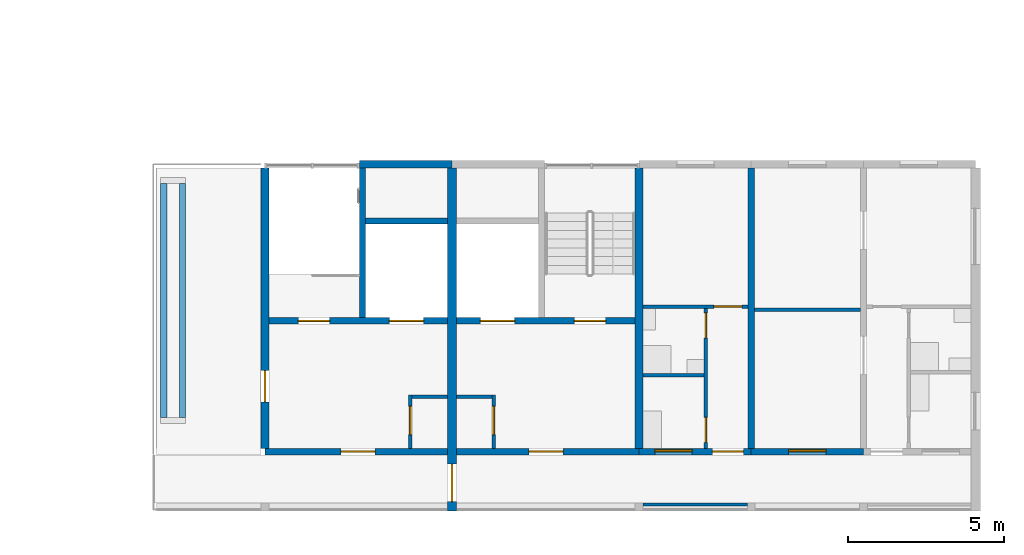
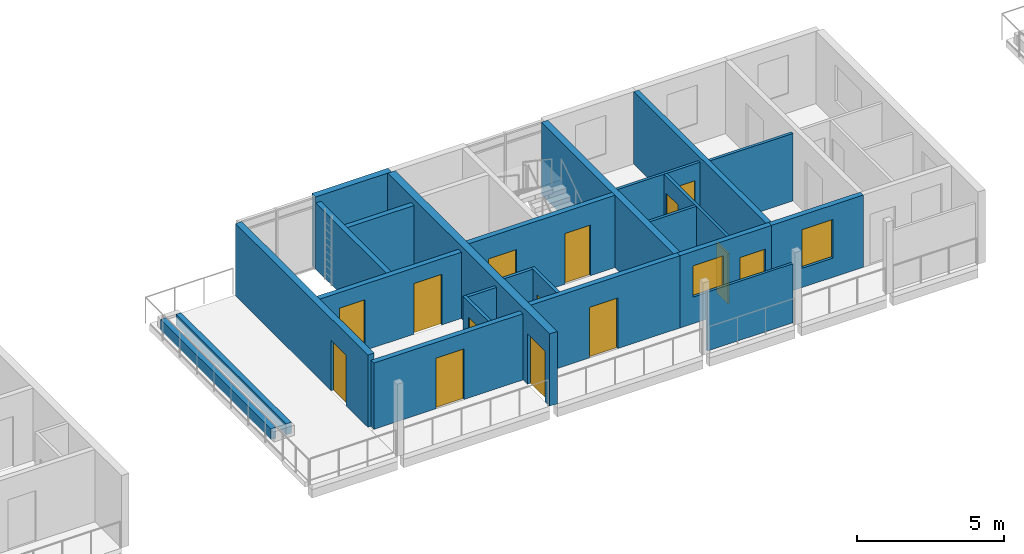
# One storey, part 27 of 55: 24 walls, 14 doors, 2 windows, 16 openings.
"""IFC4 building model written with IfcOpenShell, lengths in metres."""

from ifc_helpers import new_model, si_unit, direction, frame, frame_2d, origin, place, context, subcontext, project, spatial, rectangle, extrude, material, layer, layer_set, type_object, element, fill, save


model = new_model("IFC4")

# Units and contexts
model_context = context("Model", 3, precision=1e-05, world=origin(), true_north=direction((0.0, 1.0)))
body_context = subcontext(model_context, "Body", "Model", "MODEL_VIEW")
ifc_project = project(units=[si_unit("LENGTHUNIT", "METRE"), si_unit("AREAUNIT", "SQUARE_METRE"), si_unit("VOLUMEUNIT", "CUBIC_METRE"), si_unit("PLANEANGLEUNIT", "RADIAN"), si_unit("MASSUNIT", "GRAM", prefix="KILO")], contexts=[model_context])

# Site, building, storey
site_placement = place(None, origin())
site = spatial("IfcSite", under=ifc_project, at=site_placement, CompositionType="ELEMENT")
building_placement = place(site_placement, origin())
building = spatial("IfcBuilding", under=site, at=building_placement, Name="Ridgestep Commons", CompositionType="ELEMENT")
storey_placement = place(building_placement, frame((0.0, 0.0, 36.0)))
storey = spatial("IfcBuildingStorey", under=building, at=storey_placement, Name="L12", CompositionType="ELEMENT", Elevation=36.0)

# Wall
ifc_material_1 = material(Name="Concrete C30/37", Category="concrete")
ifc_layer_1 = layer(ifc_material_1, 0.25)
ifc_layer_set_1 = layer_set([ifc_layer_1], Name="Core cross wall 250")
wall_type_1 = type_object("IfcWallType", Name="Core cross wall 250", PredefinedType="SHEAR", material=ifc_layer_set_1)
wall_1_placement = place(storey_placement, frame((51.60009765625, 13.75, 0.0), z_axis=(0.0, 0.0, 1.0), x_axis=(0.0, 1.0, 0.0)))
element("IfcWall", 1, at=wall_1_placement, inside=storey, type_object=wall_type_1, Name="Cross wall A-12-0516", PredefinedType="SHEAR", context=body_context, shape_type="SweptSolid", body=[
    extrude(rectangle(XDim=9.0, YDim=0.25, at=frame_2d((4.5, 0.0))), origin(), (0.0, 0.0, 1.0), 3.0),
])

# Wall, opening, door
ifc_material_2 = material(Name="Concrete C30/37", Category="concrete")
ifc_layer_2 = layer(ifc_material_2, 0.199951171875)
ifc_layer_set_2 = layer_set([ifc_layer_2], Name="Core south wall 200")
wall_type_2 = type_object("IfcWallType", Name="Core south wall 200", PredefinedType="SHEAR", material=ifc_layer_set_2)
wall_2_placement = place(storey_placement, frame((39.60009765625, 13.64990234375, 0.0), z_axis=(0.0, 0.0, 1.0), x_axis=(1.0, 0.0, 0.0)))
wall_2 = element("IfcWall", 2, at=wall_2_placement, inside=storey, type_object=wall_type_2, Name="Core south wall A2C L12", PredefinedType="SHEAR", context=body_context, shape_type="SweptSolid", body=[
    extrude(rectangle(XDim=5.849853515625, YDim=0.199951171875, at=frame_2d((2.9248046875, 0.0))), origin(), (0.0, 0.0, 1.0), 2.75),
])
opening_1_placement = place(wall_2_placement, frame((2.4375, 0.0, 0.0)))
opening_1 = element("IfcOpeningElement", 3, at=opening_1_placement, cuts=wall_2, Name="Opening A2C/12/1", PredefinedType="OPENING", context=body_context, shape_type="SweptSolid", body=[
    extrude(rectangle(XDim=1.10009765625, YDim=2.10009765625, at=frame_2d((0.550048828125, 1.050048828125))), frame((0.0, 0.10986328125, 0.0), z_axis=(0.0, -1.0, 0.0), x_axis=(1.0, 0.0, 0.0)), (0.0, 0.0, 1.0), 0.219970703125),
])
ifc_material_3 = material(Name="Steel fire door", Category="steel")
door_type_1 = type_object("IfcDoorType", Name="Lobby door 1100 x 2100 FD60", OperationType="NOTDEFINED", PredefinedType="DOOR", material=ifc_material_3)
door_1_placement = place(opening_1_placement, origin())
door_1 = element("IfcDoor", 4, at=door_1_placement, inside=storey, type_object=door_type_1, Name="Lobby door A2C/12/1", OperationType="SINGLE_SWING_LEFT", OverallHeight=2.10009765625, OverallWidth=1.10009765625, PredefinedType="DOOR", context=body_context, shape_type="SweptSolid", body=[
    extrude(rectangle(XDim=1.10009765625, YDim=2.10009765625, at=frame_2d((0.550048828125, 1.050048828125))), frame((0.0, 0.02490234375, 0.0), z_axis=(0.0, -1.0, 0.0), x_axis=(1.0, 0.0, 0.0)), (0.0, 0.0, 1.0), 0.050048828125),
])
fill(opening_1, door_1)

wall_3_placement = place(storey_placement, frame((45.75, 13.64990234375, 0.0), z_axis=(0.0, 0.0, 1.0), x_axis=(1.0, 0.0, 0.0)))
wall_3 = element("IfcWall", 5, at=wall_3_placement, inside=storey, type_object=wall_type_2, Name="Core south wall A3C L12", PredefinedType="SHEAR", context=body_context, shape_type="SweptSolid", body=[
    extrude(rectangle(XDim=5.85009765625, YDim=0.199951171875, at=frame_2d((2.925048828125, 0.0))), origin(), (0.0, 0.0, 1.0), 3.0),
])
opening_2_placement = place(wall_3_placement, frame((2.3125, 0.0, 0.0)))
opening_2 = element("IfcOpeningElement", 6, at=opening_2_placement, cuts=wall_3, Name="Opening A3C/12/1", PredefinedType="OPENING", context=body_context, shape_type="SweptSolid", body=[
    extrude(rectangle(XDim=1.10009765625, YDim=2.10009765625, at=frame_2d((0.550048828125, 1.050048828125))), frame((0.0, 0.10986328125, 0.0), z_axis=(0.0, -1.0, 0.0), x_axis=(1.0, 0.0, 0.0)), (0.0, 0.0, 1.0), 0.219970703125),
])
door_2_placement = place(opening_2_placement, origin())
door_2 = element("IfcDoor", 7, at=door_2_placement, inside=storey, type_object=door_type_1, Name="Lobby door A3C/12/1", OperationType="SINGLE_SWING_LEFT", OverallHeight=2.10009765625, OverallWidth=1.10009765625, PredefinedType="DOOR", context=body_context, shape_type="SweptSolid", body=[
    extrude(rectangle(XDim=1.10009765625, YDim=2.10009765625, at=frame_2d((0.550048828125, 1.050048828125))), frame((0.0, 0.02490234375, 0.0), z_axis=(0.0, -1.0, 0.0), x_axis=(1.0, 0.0, 0.0)), (0.0, 0.0, 1.0), 0.050048828125),
])
fill(opening_2, door_2)

ifc_material_4 = material(Name="Concrete C30/37", Category="concrete")
ifc_layer_3 = layer(ifc_material_4, 0.1201171875)
ifc_layer_set_3 = layer_set([ifc_layer_3], Name="Core wall 120")
wall_type_3 = type_object("IfcWallType", Name="Core wall 120", PredefinedType="SHEAR", material=ifc_layer_set_3)
wall_4_placement = place(storey_placement, frame((44.260009765625, 13.75, 0.0), z_axis=(0.0, 0.0, 1.0), x_axis=(0.0, 1.0, 0.0)))
wall_4 = element("IfcWall", 8, at=wall_4_placement, inside=storey, type_object=wall_type_3, Name="Core riser w wall A2C L12", PredefinedType="SHEAR", context=body_context, shape_type="SweptSolid", body=[
    extrude(rectangle(XDim=1.719970703125, YDim=0.1201171875, at=frame_2d((0.85986328125, 0.0))), origin(), (0.0, 0.0, 1.0), 2.75),
])
opening_3_placement = place(wall_4_placement, frame((0.449951171875, 0.0, 0.0)))
opening_3 = element("IfcOpeningElement", 9, at=opening_3_placement, cuts=wall_4, Name="Opening A2C/12/4", PredefinedType="OPENING", context=body_context, shape_type="SweptSolid", body=[
    extrude(rectangle(XDim=0.89990234375, YDim=2.10009765625, at=frame_2d((0.449951171875, 1.050048828125))), frame((0.0, 0.070068359375, 0.0), z_axis=(0.0, -1.0, 0.0), x_axis=(1.0, 0.0, 0.0)), (0.0, 0.0, 1.0), 0.14013671875),
])
ifc_material_5 = material(Name="Steel fire door", Category="steel")
door_type_2 = type_object("IfcDoorType", Name="Riser door 900 x 2100 FD60", OperationType="NOTDEFINED", PredefinedType="DOOR", material=ifc_material_5)
door_3_placement = place(opening_3_placement, origin())
door_3 = element("IfcDoor", 10, at=door_3_placement, inside=storey, type_object=door_type_2, Name="Riser door A2C/12/4", OperationType="SINGLE_SWING_LEFT", OverallHeight=2.10009765625, OverallWidth=0.89990234375, PredefinedType="DOOR", context=body_context, shape_type="SweptSolid", body=[
    extrude(rectangle(XDim=0.89990234375, YDim=2.10009765625, at=frame_2d((0.449951171875, 1.050048828125))), frame((0.0, 0.02490234375, 0.0), z_axis=(0.0, -1.0, 0.0), x_axis=(1.0, 0.0, 0.0)), (0.0, 0.0, 1.0), 0.050048828125),
])
fill(opening_3, door_3)

# Wall
wall_5_placement = place(storey_placement, frame((44.320068359375, 15.409912109375, 0.0), z_axis=(0.0, 0.0, 1.0), x_axis=(1.0, 0.0, 0.0)))
element("IfcWall", 11, at=wall_5_placement, inside=storey, type_object=wall_type_3, Name="Core riser n wall A2C L12", PredefinedType="SHEAR", context=body_context, shape_type="SweptSolid", body=[
    extrude(rectangle(XDim=1.1298828125, YDim=0.1201171875, at=frame_2d((0.56494140625, 0.0))), origin(), (0.0, 0.0, 1.0), 2.75),
])

# Wall, opening, door
wall_6_placement = place(storey_placement, frame((46.93994140625, 13.75, 0.0), z_axis=(0.0, 0.0, 1.0), x_axis=(0.0, 1.0, 0.0)))
wall_6 = element("IfcWall", 12, at=wall_6_placement, inside=storey, type_object=wall_type_3, Name="Core riser w wall A3C L12", PredefinedType="SHEAR", context=body_context, shape_type="SweptSolid", body=[
    extrude(rectangle(XDim=1.719970703125, YDim=0.1201171875, at=frame_2d((0.85986328125, 0.0))), origin(), (0.0, 0.0, 1.0), 3.0),
])
opening_4_placement = place(wall_6_placement, frame((0.449951171875, 0.0, 0.0)))
opening_4 = element("IfcOpeningElement", 13, at=opening_4_placement, cuts=wall_6, Name="Opening A3C/12/4", PredefinedType="OPENING", context=body_context, shape_type="SweptSolid", body=[
    extrude(rectangle(XDim=0.89990234375, YDim=2.10009765625, at=frame_2d((0.449951171875, 1.050048828125))), frame((0.0, 0.070068359375, 0.0), z_axis=(0.0, -1.0, 0.0), x_axis=(1.0, 0.0, 0.0)), (0.0, 0.0, 1.0), 0.14013671875),
])
door_4_placement = place(opening_4_placement, origin())
door_4 = element("IfcDoor", 14, at=door_4_placement, inside=storey, type_object=door_type_2, Name="Riser door A3C/12/4", OperationType="SINGLE_SWING_RIGHT", OverallHeight=2.10009765625, OverallWidth=0.89990234375, PredefinedType="DOOR", context=body_context, shape_type="SweptSolid", body=[
    extrude(rectangle(XDim=0.89990234375, YDim=2.10009765625, at=frame_2d((0.449951171875, 1.050048828125))), frame((0.0, 0.02490234375, 0.0), z_axis=(0.0, -1.0, 0.0), x_axis=(1.0, 0.0, 0.0)), (0.0, 0.0, 1.0), 0.050048828125),
])
fill(opening_4, door_4)

# Wall
wall_7_placement = place(storey_placement, frame((45.75, 15.409912109375, 0.0), z_axis=(0.0, 0.0, 1.0), x_axis=(1.0, 0.0, 0.0)))
element("IfcWall", 15, at=wall_7_placement, inside=storey, type_object=wall_type_3, Name="Core riser n wall A3C L12", PredefinedType="SHEAR", context=body_context, shape_type="SweptSolid", body=[
    extrude(rectangle(XDim=1.1298828125, YDim=0.1201171875, at=frame_2d((0.56494140625, 0.0))), origin(), (0.0, 0.0, 1.0), 3.0),
])

# Wall, openings, doors
ifc_material_6 = material(Name="Concrete C30/37", Category="concrete")
ifc_layer_4 = layer(ifc_material_6, 0.199951171875)
ifc_layer_set_4 = layer_set([ifc_layer_4], Name="Core wall 200")
wall_type_4 = type_object("IfcWallType", Name="Core wall 200", PredefinedType="SHEAR", material=ifc_layer_set_4)
wall_8_placement = place(storey_placement, frame((39.72509765625, 17.85009765625, 0.0), z_axis=(0.0, 0.0, 1.0), x_axis=(1.0, 0.0, 0.0)))
wall_8 = element("IfcWall", 16, at=wall_8_placement, inside=storey, type_object=wall_type_4, Name="Core lobby wall A2C L12", PredefinedType="SHEAR", context=body_context, shape_type="SweptSolid", body=[
    extrude(rectangle(XDim=5.724853515625, YDim=0.199951171875, at=frame_2d((2.8623046875, 0.0))), origin(), (0.0, 0.0, 1.0), 2.75),
])
opening_5_placement = place(wall_8_placement, frame((0.949951171875, 0.0, 0.0)))
opening_5 = element("IfcOpeningElement", 17, at=opening_5_placement, cuts=wall_8, Name="Opening A2C/12/2", PredefinedType="OPENING", context=body_context, shape_type="SweptSolid", body=[
    extrude(rectangle(XDim=1.0, YDim=2.10009765625, at=frame_2d((0.5, 1.050048828125))), frame((0.0, 0.10986328125, 0.0), z_axis=(0.0, -1.0, 0.0), x_axis=(1.0, 0.0, 0.0)), (0.0, 0.0, 1.0), 0.219970703125),
])
opening_6_placement = place(wall_8_placement, frame((3.862548828125, 0.0, 0.0)))
opening_6 = element("IfcOpeningElement", 18, at=opening_6_placement, cuts=wall_8, Name="Opening A2C/12/3", PredefinedType="OPENING", context=body_context, shape_type="SweptSolid", body=[
    extrude(rectangle(XDim=1.10009765625, YDim=2.10009765625, at=frame_2d((0.550048828125, 1.050048828125))), frame((0.0, 0.10986328125, 0.0), z_axis=(0.0, -1.0, 0.0), x_axis=(1.0, 0.0, 0.0)), (0.0, 0.0, 1.0), 0.219970703125),
])
ifc_material_7 = material(Name="Stainless steel", Category="steel")
door_type_3 = type_object("IfcDoorType", Name="Lift landing door 1100 x 2100 FD60", OperationType="DOUBLE_DOOR_SLIDING", PredefinedType="DOOR", material=ifc_material_7)
door_5_placement = place(opening_6_placement, origin())
door_5 = element("IfcDoor", 19, at=door_5_placement, inside=storey, type_object=door_type_3, Name="Landing door LD A2C L12", OperationType="DOUBLE_DOOR_SLIDING", OverallHeight=2.10009765625, OverallWidth=1.10009765625, PredefinedType="DOOR", context=body_context, shape_type="SweptSolid", body=[
    extrude(rectangle(XDim=1.10009765625, YDim=2.10009765625, at=frame_2d((0.550048828125, 1.050048828125))), frame((0.0, 0.02490234375, 0.0), z_axis=(0.0, -1.0, 0.0), x_axis=(1.0, 0.0, 0.0)), (0.0, 0.0, 1.0), 0.050048828125),
])
fill(opening_6, door_5)
ifc_material_8 = material(Name="Steel fire door", Category="steel")
door_type_4 = type_object("IfcDoorType", Name="Stair door 1000 x 2100 FD60", OperationType="NOTDEFINED", PredefinedType="DOOR", material=ifc_material_8)
door_6_placement = place(opening_5_placement, origin())
door_6 = element("IfcDoor", 20, at=door_6_placement, inside=storey, type_object=door_type_4, Name="Stair door A2C/12/2", OperationType="SINGLE_SWING_RIGHT", OverallHeight=2.10009765625, OverallWidth=1.0, PredefinedType="DOOR", context=body_context, shape_type="SweptSolid", body=[
    extrude(rectangle(XDim=1.0, YDim=2.10009765625, at=frame_2d((0.5, 1.050048828125))), frame((0.0, 0.02490234375, 0.0), z_axis=(0.0, -1.0, 0.0), x_axis=(1.0, 0.0, 0.0)), (0.0, 0.0, 1.0), 0.050048828125),
])
fill(opening_5, door_6)

# Walls
wall_9_placement = place(storey_placement, frame((42.72509765625, 17.949951171875, 0.0), z_axis=(0.0, 0.0, 1.0), x_axis=(0.0, 1.0, 0.0)))
element("IfcWall", 21, at=wall_9_placement, inside=storey, type_object=wall_type_4, Name="Core stair wall A2C L12", PredefinedType="SHEAR", context=body_context, shape_type="SweptSolid", body=[
    extrude(rectangle(XDim=4.800048828125, YDim=0.199951171875, at=frame_2d((2.39990234375, 0.0))), origin(), (0.0, 0.0, 1.0), 2.75),
])
wall_10_placement = place(storey_placement, frame((42.824951171875, 21.050048828125, 0.0), z_axis=(0.0, 0.0, 1.0), x_axis=(1.0, 0.0, 0.0)))
element("IfcWall", 22, at=wall_10_placement, inside=storey, type_object=wall_type_4, Name="Core duct wall A2C L12", PredefinedType="SHEAR", context=body_context, shape_type="SweptSolid", body=[
    extrude(rectangle(XDim=2.625, YDim=0.199951171875, at=frame_2d((1.3125, 0.0))), origin(), (0.0, 0.0, 1.0), 2.75),
])

# Wall, openings, doors
wall_11_placement = place(storey_placement, frame((45.75, 17.85009765625, 0.0), z_axis=(0.0, 0.0, 1.0), x_axis=(1.0, 0.0, 0.0)))
wall_11 = element("IfcWall", 23, at=wall_11_placement, inside=storey, type_object=wall_type_4, Name="Core lobby wall A3C L12", PredefinedType="SHEAR", context=body_context, shape_type="SweptSolid", body=[
    extrude(rectangle(XDim=5.72509765625, YDim=0.199951171875, at=frame_2d((2.862548828125, 0.0))), origin(), (0.0, 0.0, 1.0), 3.0),
])
opening_7_placement = place(wall_11_placement, frame((3.77490234375, 0.0, 0.0)))
opening_7 = element("IfcOpeningElement", 24, at=opening_7_placement, cuts=wall_11, Name="Opening A3C/12/2", PredefinedType="OPENING", context=body_context, shape_type="SweptSolid", body=[
    extrude(rectangle(XDim=1.0, YDim=2.10009765625, at=frame_2d((0.5, 1.050048828125))), frame((0.0, 0.10986328125, 0.0), z_axis=(0.0, -1.0, 0.0), x_axis=(1.0, 0.0, 0.0)), (0.0, 0.0, 1.0), 0.219970703125),
])
opening_8_placement = place(wall_11_placement, frame((0.762451171875, 0.0, 0.0)))
opening_8 = element("IfcOpeningElement", 25, at=opening_8_placement, cuts=wall_11, Name="Opening A3C/12/3", PredefinedType="OPENING", context=body_context, shape_type="SweptSolid", body=[
    extrude(rectangle(XDim=1.10009765625, YDim=2.10009765625, at=frame_2d((0.550048828125, 1.050048828125))), frame((0.0, 0.10986328125, 0.0), z_axis=(0.0, -1.0, 0.0), x_axis=(1.0, 0.0, 0.0)), (0.0, 0.0, 1.0), 0.219970703125),
])
door_7_placement = place(opening_8_placement, origin())
door_7 = element("IfcDoor", 26, at=door_7_placement, inside=storey, type_object=door_type_3, Name="Landing door LD A3C L12", OperationType="DOUBLE_DOOR_SLIDING", OverallHeight=2.10009765625, OverallWidth=1.10009765625, PredefinedType="DOOR", context=body_context, shape_type="SweptSolid", body=[
    extrude(rectangle(XDim=1.10009765625, YDim=2.10009765625, at=frame_2d((0.550048828125, 1.050048828125))), frame((0.0, 0.02490234375, 0.0), z_axis=(0.0, -1.0, 0.0), x_axis=(1.0, 0.0, 0.0)), (0.0, 0.0, 1.0), 0.050048828125),
])
fill(opening_8, door_7)
door_8_placement = place(opening_7_placement, origin())
door_8 = element("IfcDoor", 27, at=door_8_placement, inside=storey, type_object=door_type_4, Name="Stair door A3C/12/2", OperationType="SINGLE_SWING_RIGHT", OverallHeight=2.10009765625, OverallWidth=1.0, PredefinedType="DOOR", context=body_context, shape_type="SweptSolid", body=[
    extrude(rectangle(XDim=1.0, YDim=2.10009765625, at=frame_2d((0.5, 1.050048828125))), frame((0.0, 0.02490234375, 0.0), z_axis=(0.0, -1.0, 0.0), x_axis=(1.0, 0.0, 0.0)), (0.0, 0.0, 1.0), 0.050048828125),
])
fill(opening_7, door_8)

# Wall
ifc_material_9 = material(Name="Precast concrete C40/50", Category="concrete")
ifc_layer_5 = layer(ifc_material_9, 0.199951171875)
ifc_layer_set_5 = layer_set([ifc_layer_5], Name="Cross wall 200")
wall_type_5 = type_object("IfcWallType", Name="Cross wall 200", PredefinedType="SHEAR", material=ifc_layer_set_5)
wall_12_placement = place(storey_placement, frame((55.199951171875, 13.75, 0.0), z_axis=(0.0, 0.0, 1.0), x_axis=(0.0, 1.0, 0.0)))
element("IfcWall", 28, at=wall_12_placement, inside=storey, type_object=wall_type_5, Name="Cross wall A-12-0552", PredefinedType="SHEAR", context=body_context, shape_type="SweptSolid", body=[
    extrude(rectangle(XDim=9.0, YDim=0.199951171875, at=frame_2d((4.5, 0.0))), origin(), (0.0, 0.0, 1.0), 3.0),
])

# Wall, opening, door
ifc_material_10 = material(Name="Precast concrete C40/50", Category="concrete")
ifc_layer_6 = layer(ifc_material_10, 0.300048828125)
ifc_layer_set_6 = layer_set([ifc_layer_6], Name="Division wall 300")
wall_type_6 = type_object("IfcWallType", Name="Division wall 300", PredefinedType="SHEAR", material=ifc_layer_set_6)
wall_13_placement = place(storey_placement, frame((45.60009765625, 11.75, 0.0), z_axis=(0.0, 0.0, 1.0), x_axis=(0.0, 1.0, 0.0)))
wall_13 = element("IfcWall", 29, at=wall_13_placement, inside=storey, type_object=wall_type_6, Name="Cross wall A-12-0456", PredefinedType="SHEAR", context=body_context, shape_type="SweptSolid", body=[
    extrude(rectangle(XDim=11.0, YDim=0.300048828125, at=frame_2d((5.5, 0.0))), origin(), (0.0, 0.0, 1.0), 3.0),
])
opening_9_placement = place(wall_13_placement, frame((0.300048828125, 0.0, 0.0)))
opening_9 = element("IfcOpeningElement", 30, at=opening_9_placement, cuts=wall_13, Name="Opening A/12/G0456", PredefinedType="OPENING", context=body_context, shape_type="SweptSolid", body=[
    extrude(rectangle(XDim=1.199951171875, YDim=2.10009765625, at=frame_2d((0.60009765625, 1.050048828125))), frame((0.0, 0.159912109375, 0.0), z_axis=(0.0, -1.0, 0.0), x_axis=(1.0, 0.0, 0.0)), (0.0, 0.0, 1.0), 0.320068359375),
])
ifc_material_11 = material(Name="Steel fire door", Category="steel")
door_type_5 = type_object("IfcDoorType", Name="Division fire door 1200 x 2100 EI 240", OperationType="DOUBLE_DOOR_SINGLE_SWING", PredefinedType="DOOR", material=ifc_material_11)
door_9_placement = place(opening_9_placement, origin())
door_9 = element("IfcDoor", 31, at=door_9_placement, inside=storey, type_object=door_type_5, Name="Division fire door A/12/G0456", OperationType="DOUBLE_DOOR_SINGLE_SWING", OverallHeight=2.10009765625, OverallWidth=1.199951171875, PredefinedType="DOOR", context=body_context, shape_type="SweptSolid", body=[
    extrude(rectangle(XDim=1.199951171875, YDim=2.10009765625, at=frame_2d((0.60009765625, 1.050048828125))), frame((0.0, 0.02490234375, 0.0), z_axis=(0.0, -1.0, 0.0), x_axis=(1.0, 0.0, 0.0)), (0.0, 0.0, 1.0), 0.050048828125),
])
fill(opening_9, door_9)

ifc_material_12 = material(Name="Concrete C30/37", Category="concrete")
ifc_layer_7 = layer(ifc_material_12, 0.25)
ifc_layer_set_7 = layer_set([ifc_layer_7], Name="Exposed core cross wall 250")
wall_type_7 = type_object("IfcWallType", Name="Exposed core cross wall 250", PredefinedType="SHEAR", material=ifc_layer_set_7)
wall_14_placement = place(storey_placement, frame((39.60009765625, 13.75, 0.0), z_axis=(0.0, 0.0, 1.0), x_axis=(0.0, 1.0, 0.0)))
wall_14 = element("IfcWall", 32, at=wall_14_placement, inside=storey, type_object=wall_type_7, Name="Cross wall A-12-0396", PredefinedType="SHEAR", context=body_context, shape_type="SweptSolid", body=[
    extrude(rectangle(XDim=9.0, YDim=0.25, at=frame_2d((4.5, 0.0))), origin(), (0.0, 0.0, 1.0), 3.0),
])
opening_10_placement = place(wall_14_placement, frame((1.5, 0.0, 0.0)))
opening_10 = element("IfcOpeningElement", 33, at=opening_10_placement, cuts=wall_14, Name="Opening A2C/12/T", PredefinedType="OPENING", context=body_context, shape_type="SweptSolid", body=[
    extrude(rectangle(XDim=1.0, YDim=2.10009765625, at=frame_2d((0.5, 1.050048828125))), frame((0.0, 0.135009765625, 0.0), z_axis=(0.0, -1.0, 0.0), x_axis=(1.0, 0.0, 0.0)), (0.0, 0.0, 1.0), 0.27001953125),
])
ifc_material_13 = material(Name="Aluminium and glass", Category="aluminium")
door_type_6 = type_object("IfcDoorType", Name="Terrace door 1000 x 2100 FD60", OperationType="NOTDEFINED", PredefinedType="DOOR", material=ifc_material_13)
door_10_placement = place(opening_10_placement, origin())
door_10 = element("IfcDoor", 34, at=door_10_placement, inside=storey, type_object=door_type_6, Name="Terrace door A2C/12/T", OperationType="SINGLE_SWING_LEFT", OverallHeight=2.10009765625, OverallWidth=1.0, PredefinedType="DOOR", context=body_context, shape_type="SweptSolid", body=[
    extrude(rectangle(XDim=1.0, YDim=2.10009765625, at=frame_2d((0.5, 1.050048828125))), frame((0.0, 0.02490234375, 0.0), z_axis=(0.0, -1.0, 0.0), x_axis=(1.0, 0.0, 0.0)), (0.0, 0.0, 1.0), 0.050048828125),
])
fill(opening_10, door_10)

# Walls
ifc_material_14 = material(Name="Precast concrete C40/50", Category="concrete")
ifc_layer_8 = layer(ifc_material_14, 0.25)
ifc_layer_set_8 = layer_set([ifc_layer_8], Name="North facade panel 250")
wall_type_8 = type_object("IfcWallType", Name="North facade panel 250", PredefinedType="SOLIDWALL", material=ifc_layer_set_8)
wall_15_placement = place(storey_placement, frame((42.625, 22.875, 0.0), z_axis=(0.0, 0.0, 1.0), x_axis=(1.0, 0.0, 0.0)))
element("IfcWall", 35, at=wall_15_placement, inside=storey, type_object=wall_type_8, Name="North panel A2C L12", PredefinedType="SOLIDWALL", context=body_context, shape_type="SweptSolid", body=[
    extrude(rectangle(XDim=2.97509765625, YDim=0.25, at=frame_2d((1.487548828125, 0.0))), origin(), (0.0, 0.0, 1.0), 3.0),
])
ifc_material_15 = material(Name="Common brick 110 mm", Category="masonry")
ifc_layer_9 = layer(ifc_material_15, 0.110107421875)
ifc_layer_set_9 = layer_set([ifc_layer_9], Name="Partition 110")
wall_type_9 = type_object("IfcWallType", Name="Partition 110", PredefinedType="PARTITIONING", material=ifc_layer_set_9)
wall_16_placement = place(storey_placement, frame((55.300048828125, 18.205078125, 0.0), z_axis=(0.0, 0.0, 1.0), x_axis=(1.0, 0.0, 0.0)))
element("IfcWall", 36, at=wall_16_placement, inside=storey, type_object=wall_type_9, Name="Partition A3-12a", PredefinedType="PARTITIONING", context=body_context, shape_type="SweptSolid", body=[
    extrude(rectangle(XDim=3.39990234375, YDim=0.110107421875, at=frame_2d((1.699951171875, 0.0))), origin(), (0.0, 0.0, 1.0), 2.800048828125),
])
wall_17_placement = place(storey_placement, frame((51.72509765625, 16.10498046875, 0.0), z_axis=(0.0, 0.0, 1.0), x_axis=(1.0, 0.0, 0.0)))
element("IfcWall", 37, at=wall_17_placement, inside=storey, type_object=wall_type_9, Name="Partition A3-12b", PredefinedType="PARTITIONING", context=body_context, shape_type="SweptSolid", body=[
    extrude(rectangle(XDim=1.96484375, YDim=0.110107421875, at=frame_2d((0.982421875, 0.0))), origin(), (0.0, 0.0, 1.0), 2.800048828125),
])

# Wall, openings, doors
wall_18_placement = place(storey_placement, frame((53.7451171875, 13.75, 0.0), z_axis=(0.0, 0.0, 1.0), x_axis=(0.0, 1.0, 0.0)))
wall_18 = element("IfcWall", 38, at=wall_18_placement, inside=storey, type_object=wall_type_9, Name="Partition A3-12b", PredefinedType="PARTITIONING", context=body_context, shape_type="SweptSolid", body=[
    extrude(rectangle(XDim=4.5, YDim=0.110107421875, at=frame_2d((2.25, 0.0))), origin(), (0.0, 0.0, 1.0), 2.800048828125),
])
opening_11_placement = place(wall_18_placement, frame((0.199951171875, 0.0, 0.0)))
opening_11 = element("IfcOpeningElement", 39, at=opening_11_placement, cuts=wall_18, Name="Opening A3-12b/2", PredefinedType="OPENING", context=body_context, shape_type="SweptSolid", body=[
    extrude(rectangle(XDim=0.800048828125, YDim=2.10009765625, at=frame_2d((0.39990234375, 1.050048828125))), frame((0.0, 0.06494140625, 0.0), z_axis=(0.0, -1.0, 0.0), x_axis=(1.0, 0.0, 0.0)), (0.0, 0.0, 1.0), 0.130126953125),
])
opening_12_placement = place(wall_18_placement, frame((3.550048828125, 0.0, 0.0)))
opening_12 = element("IfcOpeningElement", 40, at=opening_12_placement, cuts=wall_18, Name="Opening A3-12b/3", PredefinedType="OPENING", context=body_context, shape_type="SweptSolid", body=[
    extrude(rectangle(XDim=0.800048828125, YDim=2.10009765625, at=frame_2d((0.39990234375, 1.050048828125))), frame((0.0, 0.06494140625, 0.0), z_axis=(0.0, -1.0, 0.0), x_axis=(1.0, 0.0, 0.0)), (0.0, 0.0, 1.0), 0.130126953125),
])
ifc_material_16 = material(Name="Timber door leaf", Category="wood")
door_type_7 = type_object("IfcDoorType", Name="Internal door 800 x 2100", OperationType="NOTDEFINED", PredefinedType="DOOR", material=ifc_material_16)
door_11_placement = place(opening_11_placement, origin())
door_11 = element("IfcDoor", 41, at=door_11_placement, inside=storey, type_object=door_type_7, Name="Internal door A3-12b/2", OperationType="SINGLE_SWING_LEFT", OverallHeight=2.10009765625, OverallWidth=0.800048828125, PredefinedType="DOOR", context=body_context, shape_type="SweptSolid", body=[
    extrude(rectangle(XDim=0.800048828125, YDim=2.10009765625, at=frame_2d((0.39990234375, 1.050048828125))), frame((0.0, 0.02490234375, 0.0), z_axis=(0.0, -1.0, 0.0), x_axis=(1.0, 0.0, 0.0)), (0.0, 0.0, 1.0), 0.050048828125),
])
fill(opening_11, door_11)
door_12_placement = place(opening_12_placement, origin())
door_12 = element("IfcDoor", 42, at=door_12_placement, inside=storey, type_object=door_type_7, Name="Internal door A3-12b/3", OperationType="SINGLE_SWING_RIGHT", OverallHeight=2.10009765625, OverallWidth=0.800048828125, PredefinedType="DOOR", context=body_context, shape_type="SweptSolid", body=[
    extrude(rectangle(XDim=0.800048828125, YDim=2.10009765625, at=frame_2d((0.39990234375, 1.050048828125))), frame((0.0, 0.02490234375, 0.0), z_axis=(0.0, -1.0, 0.0), x_axis=(1.0, 0.0, 0.0)), (0.0, 0.0, 1.0), 0.050048828125),
])
fill(opening_12, door_12)

# Wall, opening, door
wall_19_placement = place(storey_placement, frame((51.72509765625, 18.304931640625, 0.0), z_axis=(0.0, 0.0, 1.0), x_axis=(1.0, 0.0, 0.0)))
wall_19 = element("IfcWall", 43, at=wall_19_placement, inside=storey, type_object=wall_type_9, Name="Partition A3-12b", PredefinedType="PARTITIONING", context=body_context, shape_type="SweptSolid", body=[
    extrude(rectangle(XDim=3.375, YDim=0.110107421875, at=frame_2d((1.6875, 0.0))), origin(), (0.0, 0.0, 1.0), 2.800048828125),
])
opening_13_placement = place(wall_19_placement, frame((2.27490234375, 0.0, 0.0)))
opening_13 = element("IfcOpeningElement", 44, at=opening_13_placement, cuts=wall_19, Name="Opening A3-12b/4", PredefinedType="OPENING", context=body_context, shape_type="SweptSolid", body=[
    extrude(rectangle(XDim=0.89990234375, YDim=2.10009765625, at=frame_2d((0.449951171875, 1.050048828125))), frame((0.0, 0.06494140625, 0.0), z_axis=(0.0, -1.0, 0.0), x_axis=(1.0, 0.0, 0.0)), (0.0, 0.0, 1.0), 0.130126953125),
])
ifc_material_17 = material(Name="Timber door leaf", Category="wood")
door_type_8 = type_object("IfcDoorType", Name="Internal door 900 x 2100", OperationType="NOTDEFINED", PredefinedType="DOOR", material=ifc_material_17)
door_13_placement = place(opening_13_placement, origin())
door_13 = element("IfcDoor", 45, at=door_13_placement, inside=storey, type_object=door_type_8, Name="Internal door A3-12b/4", OperationType="SINGLE_SWING_LEFT", OverallHeight=2.10009765625, OverallWidth=0.89990234375, PredefinedType="DOOR", context=body_context, shape_type="SweptSolid", body=[
    extrude(rectangle(XDim=0.89990234375, YDim=2.10009765625, at=frame_2d((0.449951171875, 1.050048828125))), frame((0.0, 0.02490234375, 0.0), z_axis=(0.0, -1.0, 0.0), x_axis=(1.0, 0.0, 0.0)), (0.0, 0.0, 1.0), 0.050048828125),
])
fill(opening_13, door_13)

# Walls
ifc_material_18 = material(Name="Precast concrete C30/37", Category="concrete")
ifc_layer_10 = layer(ifc_material_18, 0.10009765625)
ifc_layer_set_10 = layer_set([ifc_layer_10], Name="Perforated gallery screen 3350 x 2450 x 100")
wall_type_10 = type_object("IfcWallType", Name="Perforated gallery screen 3350 x 2450 x 100", PredefinedType="SOLIDWALL", material=ifc_layer_set_10)
wall_20_placement = place(storey_placement, frame((51.72509765625, 11.949951171875, 0.0), z_axis=(0.0, 0.0, 1.0), x_axis=(1.0, 0.0, 0.0)))
element("IfcWall", 46, at=wall_20_placement, inside=storey, type_object=wall_type_10, Name="Gallery screen A3T3 12", PredefinedType="SOLIDWALL", context=body_context, shape_type="SweptSolid", body=[
    extrude(rectangle(XDim=3.349853515625, YDim=0.10009765625, at=frame_2d((1.6748046875, 0.0))), origin(), (0.0, 0.0, 1.0), 2.449951171875),
])
ifc_material_19 = material(Name="Facing brick", Category="masonry")
ifc_layer_11 = layer(ifc_material_19, 0.199951171875)
ifc_layer_set_11 = layer_set([ifc_layer_11], Name="Planter wall 200")
wall_type_11 = type_object("IfcWallType", Name="Planter wall 200", PredefinedType="SOLIDWALL", material=ifc_layer_set_11)
for number, where, z_axis, x_axis, name in (
    (47, (36.35009765625, 14.75, 0.010009765625), (0.0, 0.0, 1.0), (0.0, 1.0, 0.0), "Planter wall A2R3W"),
    (48, (36.949951171875, 14.75, 0.010009765625), (0.0, 0.0, 1.0), (0.0, 1.0, 0.0), "Planter wall A2R3E"),
):
    element("IfcWall", number, at=place(storey_placement, frame(where, z_axis=z_axis, x_axis=x_axis)), inside=storey, type_object=wall_type_11, Name=name, PredefinedType="SOLIDWALL", context=body_context, shape_type="SweptSolid", body=[
        extrude(rectangle(XDim=7.5, YDim=0.199951171875, at=frame_2d((3.75, 0.0))), origin(), (0.0, 0.0, 1.0), 0.449951171875),
    ])

# Wall, openings, door, window
ifc_material_20 = material(Name="Precast concrete C40/50", Category="concrete")
ifc_layer_12 = layer(ifc_material_20, 0.199951171875)
ifc_layer_set_12 = layer_set([ifc_layer_12], Name="South facade panel 200")
wall_type_12 = type_object("IfcWallType", Name="South facade panel 200", PredefinedType="SOLIDWALL", material=ifc_layer_set_12)
wall_21_placement = place(storey_placement, frame((51.60009765625, 13.64990234375, 0.0), z_axis=(0.0, 0.0, 1.0), x_axis=(1.0, 0.0, 0.0)))
wall_21 = element("IfcWall", 49, at=wall_21_placement, inside=storey, type_object=wall_type_12, Name="South panel A3T3 L12", PredefinedType="SOLIDWALL", context=body_context, shape_type="SweptSolid", body=[
    extrude(rectangle(XDim=3.599853515625, YDim=0.199951171875, at=frame_2d((1.7998046875, 0.0))), origin(), (0.0, 0.0, 1.0), 3.0),
])
opening_14_placement = place(wall_21_placement, frame((0.507568359375, 0.0, 1.10009765625)))
opening_14 = element("IfcOpeningElement", 50, at=opening_14_placement, cuts=wall_21, Name="Opening W08", PredefinedType="OPENING", context=body_context, shape_type="SweptSolid", body=[
    extrude(rectangle(XDim=1.199951171875, YDim=1.300048828125, at=frame_2d((0.60009765625, 0.64990234375))), frame((0.0, 0.10986328125, 0.0), z_axis=(0.0, -1.0, 0.0), x_axis=(1.0, 0.0, 0.0)), (0.0, 0.0, 1.0), 0.219970703125),
])
opening_15_placement = place(wall_21_placement, frame((2.35009765625, 0.0, 0.0)))
opening_15 = element("IfcOpeningElement", 51, at=opening_15_placement, cuts=wall_21, Name="Opening A3-12b/1", PredefinedType="OPENING", context=body_context, shape_type="SweptSolid", body=[
    extrude(rectangle(XDim=1.0, YDim=2.10009765625, at=frame_2d((0.5, 1.050048828125))), frame((0.0, 0.10986328125, 0.0), z_axis=(0.0, -1.0, 0.0), x_axis=(1.0, 0.0, 0.0)), (0.0, 0.0, 1.0), 0.219970703125),
])
ifc_material_21 = material(Name="Timber door leaf", Category="wood")
door_type_9 = type_object("IfcDoorType", Name="Flat entrance door 1000 x 2100 FD30S", OperationType="NOTDEFINED", PredefinedType="DOOR", material=ifc_material_21)
door_14_placement = place(opening_15_placement, origin())
door_14 = element("IfcDoor", 52, at=door_14_placement, inside=storey, type_object=door_type_9, Name="Flat entrance door A3-12b/1", OperationType="SINGLE_SWING_RIGHT", OverallHeight=2.10009765625, OverallWidth=1.0, PredefinedType="DOOR", context=body_context, shape_type="SweptSolid", body=[
    extrude(rectangle(XDim=1.0, YDim=2.10009765625, at=frame_2d((0.5, 1.050048828125))), frame((0.0, 0.02490234375, 0.0), z_axis=(0.0, -1.0, 0.0), x_axis=(1.0, 0.0, 0.0)), (0.0, 0.0, 1.0), 0.050048828125),
])
fill(opening_15, door_14)
ifc_material_22 = material(Name="Aluminium 6063-T6 and glass", Category="aluminium")
window_type_1 = type_object("IfcWindowType", Name="Flat window 1200 x 1300", PartitioningType="SINGLE_PANEL", PredefinedType="WINDOW", material=ifc_material_22)
window_1_placement = place(opening_14_placement, origin())
window_1 = element("IfcWindow", 53, at=window_1_placement, inside=storey, type_object=window_type_1, Name="Window A3-12b 1", OverallHeight=1.300048828125, OverallWidth=1.199951171875, PartitioningType="SINGLE_PANEL", PredefinedType="WINDOW", context=body_context, shape_type="SweptSolid", body=[
    extrude(rectangle(XDim=1.199951171875, YDim=1.300048828125, at=frame_2d((0.60009765625, 0.64990234375))), frame((0.0, 0.06005859375, 0.0), z_axis=(0.0, -1.0, 0.0), x_axis=(1.0, 0.0, 0.0)), (0.0, 0.0, 1.0), 0.06005859375),
])
fill(opening_14, window_1)

# Wall, opening, window
wall_22_placement = place(storey_placement, frame((55.199951171875, 13.64990234375, 0.0), z_axis=(0.0, 0.0, 1.0), x_axis=(1.0, 0.0, 0.0)))
wall_22 = element("IfcWall", 54, at=wall_22_placement, inside=storey, type_object=wall_type_12, Name="South panel A3T2 L12", PredefinedType="SOLIDWALL", context=body_context, shape_type="SweptSolid", body=[
    extrude(rectangle(XDim=3.60009765625, YDim=0.199951171875, at=frame_2d((1.800048828125, 0.0))), origin(), (0.0, 0.0, 1.0), 3.0),
])
opening_16_placement = place(wall_22_placement, frame((1.199951171875, 0.0, 0.800048828125)))
opening_16 = element("IfcOpeningElement", 55, at=opening_16_placement, cuts=wall_22, Name="Opening W11", PredefinedType="OPENING", context=body_context, shape_type="SweptSolid", body=[
    extrude(rectangle(XDim=1.199951171875, YDim=1.60009765625, at=frame_2d((0.60009765625, 0.800048828125))), frame((0.0, 0.10986328125, 0.0), z_axis=(0.0, -1.0, 0.0), x_axis=(1.0, 0.0, 0.0)), (0.0, 0.0, 1.0), 0.219970703125),
])
ifc_material_23 = material(Name="Aluminium 6063-T6 and glass", Category="aluminium")
window_type_2 = type_object("IfcWindowType", Name="Flat window 1200 x 1600", PartitioningType="SINGLE_PANEL", PredefinedType="WINDOW", material=ifc_material_23)
window_2_placement = place(opening_16_placement, origin())
window_2 = element("IfcWindow", 56, at=window_2_placement, inside=storey, type_object=window_type_2, Name="Window A3-12a 1", OverallHeight=1.60009765625, OverallWidth=1.199951171875, PartitioningType="SINGLE_PANEL", PredefinedType="WINDOW", context=body_context, shape_type="SweptSolid", body=[
    extrude(rectangle(XDim=1.199951171875, YDim=1.60009765625, at=frame_2d((0.60009765625, 0.800048828125))), frame((0.0, 0.06005859375, 0.0), z_axis=(0.0, -1.0, 0.0), x_axis=(1.0, 0.0, 0.0)), (0.0, 0.0, 1.0), 0.06005859375),
])
fill(opening_16, window_2)

save(model, "model.ifc")
